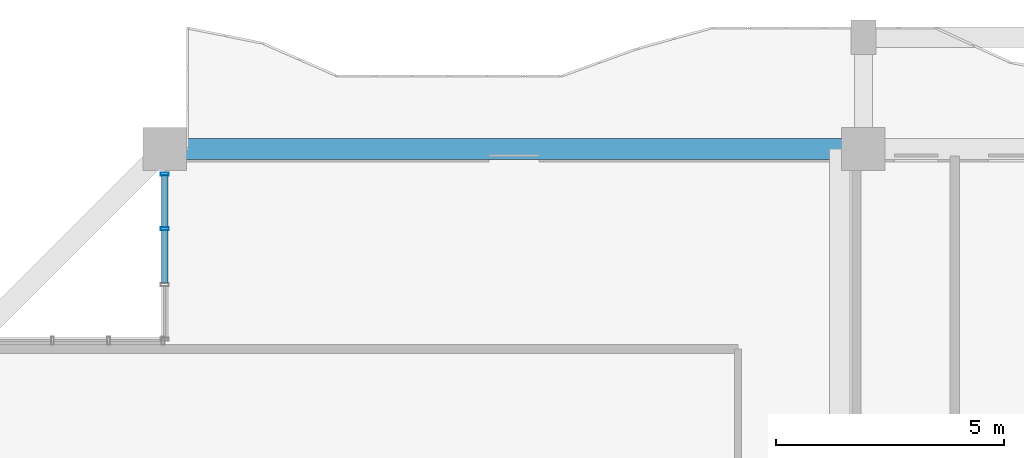
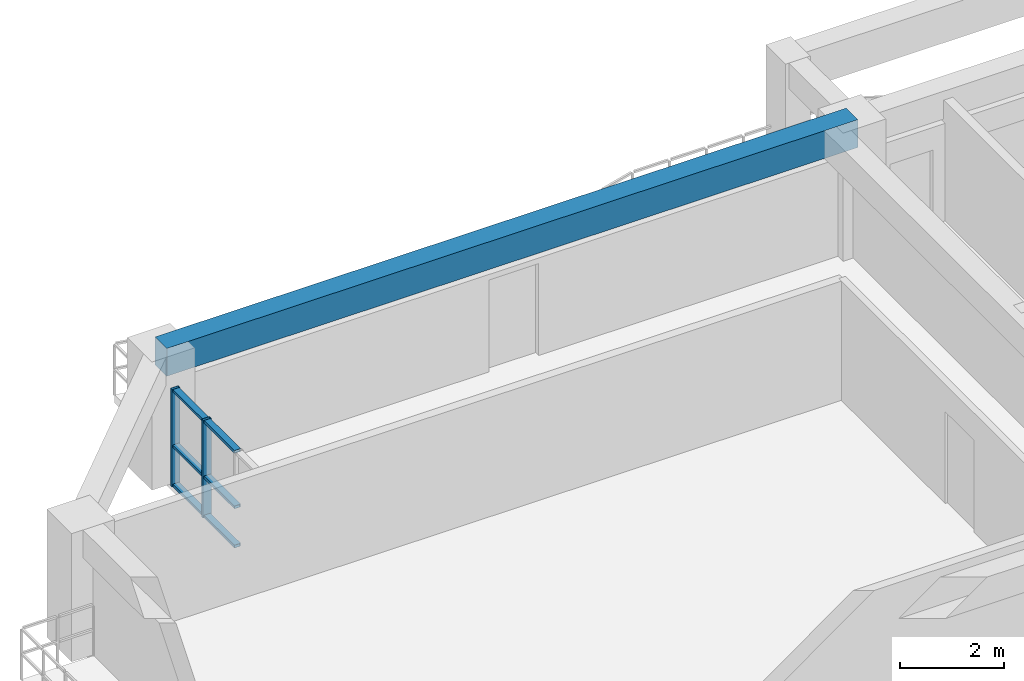
# One storey, part 8 of 24: 8 members, 1 beam, 1 element without a shape of its own.
"""IFC4 building model written with IfcOpenShell, lengths in metres."""

from ifc_helpers import new_model, si_unit, direction, frame, origin, origin_2d, place, context, subcontext, project, spatial, rectangle, hollow_rectangle, extrude, source, transform, mapped, material, layer, layer_set, material_profile, profile_set, type_object, element, aggregate, save


model = new_model("IFC4")

# Units and contexts
model_context = context("Model", 3, precision=1e-05, world=origin(), true_north=direction((0.0, 1.0)))
body_context = subcontext(model_context, "Body", "Model", "MODEL_VIEW")
ifc_project = project(units=[si_unit("LENGTHUNIT", "METRE"), si_unit("AREAUNIT", "SQUARE_METRE"), si_unit("VOLUMEUNIT", "CUBIC_METRE"), si_unit("PLANEANGLEUNIT", "RADIAN"), si_unit("MASSUNIT", "GRAM", prefix="KILO")], contexts=[model_context])

# Site, building, storey
site_placement = place(None, origin())
site = spatial("IfcSite", under=ifc_project, at=site_placement, CompositionType="ELEMENT")
building_placement = place(site_placement, origin())
building = spatial("IfcBuilding", under=site, at=building_placement, Name="Saelheon Loggia Tower", CompositionType="ELEMENT")
storey_placement = place(building_placement, frame((0.0, 0.0, 98.85009765625)))
storey = spatial("IfcBuildingStorey", under=building, at=storey_placement, Name="L31", CompositionType="ELEMENT", Elevation=98.85009765625)

# Beam
ifc_material_1 = material(Name="Concrete C40/50", Category="concrete")
ifc_material_profile_1 = material_profile(ifc_material_1, rectangle(XDim=0.449951171875, YDim=0.64990234375, at=origin_2d()), Name="RC-450x650")
ifc_profile_set_1 = profile_set([ifc_material_profile_1], Name="Concrete C40/50")
beam_type = type_object("IfcBeamType", Name="Beam_PerimTower_RC450x650", PredefinedType="BEAM", material=ifc_profile_set_1)
shared_shape_1 = source(origin(), body_context, "Body", "SweptSolid", [
    extrude(rectangle(XDim=0.449951171875, YDim=0.64990234375, at=origin_2d()), origin(), (0.0, 0.0, 1.0), 15.300048828125),
])
beam_placement = place(storey_placement, frame((31.5, 51.0, 2.6748046875), z_axis=(-1.0, 0.0, 0.0), x_axis=(0.0, -1.0, 0.0)))
element("IfcBeam", 1, at=beam_placement, inside=storey, type_object=beam_type, Name="L31 Perimeter Frame Girder 11", PredefinedType="BEAM", context=body_context, shape_type="MappedRepresentation", body=[
    mapped(shared_shape_1, transform((0.0, 0.0, 0.0), scale=1.0)),
])

# Curtain wall, members
ifc_material_2 = material(Name="Thermal-Break Aluminium and Triple Low-E Glass", Category="aluminium")
ifc_layer = layer(ifc_material_2, 0.159912109375)
ifc_layer_set = layer_set([ifc_layer], Name="Thermal-Break Aluminium and Triple Low-E Glass")
curtain_wall_type = type_object("IfcCurtainWallType", Name="CW_TowerLoggiaLow", PredefinedType="NOTDEFINED", material=ifc_layer_set)
curtain_wall_placement = place(storey_placement, origin())
curtain_wall = element("IfcCurtainWall", 2, at=curtain_wall_placement, inside=storey, type_object=curtain_wall_type, Name="L31 Corner Notch Glazing NW1", PredefinedType="NOTDEFINED")
ifc_material_3 = material(Name="Anodised Aluminium 6063-T6", Category="aluminium")
ifc_material_profile_2 = material_profile(ifc_material_3, hollow_rectangle(XDim=0.06494140625, YDim=0.179931640625, WallThickness=0.00390625, at=origin_2d()), Name="RHS-180x65x4")
ifc_profile_set_2 = profile_set([ifc_material_profile_2], Name="Anodised Aluminium 6063-T6")
member_type_1 = type_object("IfcMemberType", Name="CW_TowerLoggiaLow_Mullion", PredefinedType="MULLION", material=ifc_profile_set_2)
shared_shape_2 = source(origin(), body_context, "Body", "SweptSolid", [
    extrude(hollow_rectangle(XDim=0.06494140625, YDim=0.179931640625, WallThickness=0.00390625, at=origin_2d()), origin(), (0.0, 0.0, 1.0), 2.27978515625),
])
member_1_placement = place(storey_placement, frame((16.199951171875, 49.256591796875, 0.0), z_axis=(0.0, 0.0, 1.0), x_axis=(0.0, 1.0, 0.0)))
member_1 = element("IfcMember", 3, at=member_1_placement, type_object=member_type_1, Name="CW3 mullion 3", PredefinedType="MULLION", context=body_context, shape_type="MappedRepresentation", body=[
    mapped(shared_shape_2, transform((0.0, 0.0, 0.0), scale=1.0)),
])
member_2_placement = place(storey_placement, frame((16.199951171875, 50.452392578125, 0.0), z_axis=(0.0, 0.0, 1.0), x_axis=(0.0, 1.0, 0.0)))
member_2 = element("IfcMember", 4, at=member_2_placement, type_object=member_type_1, Name="CW3 mullion 4", PredefinedType="MULLION", context=body_context, shape_type="MappedRepresentation", body=[
    mapped(shared_shape_2, transform((0.0, 0.0, 0.0), scale=1.0)),
])
ifc_material_profile_3 = material_profile(ifc_material_3, hollow_rectangle(XDim=0.06494140625, YDim=0.139892578125, WallThickness=0.00390625, at=origin_2d()), Name="RHS-140x65x4")
ifc_profile_set_3 = profile_set([ifc_material_profile_3], Name="Anodised Aluminium 6063-T6")
member_type_2 = type_object("IfcMemberType", Name="CW_TowerLoggiaLow_Transom", PredefinedType="USERDEFINED", material=ifc_profile_set_3)
shared_shape_3 = source(origin(), body_context, "Body", "SweptSolid", [
    extrude(hollow_rectangle(XDim=0.06494140625, YDim=0.139892578125, WallThickness=0.00390625, at=origin_2d()), origin(), (0.0, 0.0, 1.0), 1.130859375),
])
member_3_placement = place(storey_placement, frame((16.199951171875, 49.2890625, 0.032470703125), z_axis=(0.0, 1.0, 0.0), x_axis=(0.0, 0.0, 1.0)))
member_3 = element("IfcMember", 5, at=member_3_placement, type_object=member_type_2, Name="CW3 transom 3.1", ObjectType="TRANSOM", PredefinedType="USERDEFINED", context=body_context, shape_type="MappedRepresentation", body=[
    mapped(shared_shape_3, transform((0.0, 0.0, 0.0), scale=1.0)),
])
member_4_placement = place(storey_placement, frame((16.199951171875, 49.2890625, 0.949951171875), z_axis=(0.0, 1.0, 0.0), x_axis=(0.0, 0.0, 1.0)))
member_4 = element("IfcMember", 6, at=member_4_placement, type_object=member_type_2, Name="CW3 transom 3.2", ObjectType="TRANSOM", PredefinedType="USERDEFINED", context=body_context, shape_type="MappedRepresentation", body=[
    mapped(shared_shape_3, transform((0.0, 0.0, 0.0), scale=1.0)),
])
member_5_placement = place(storey_placement, frame((16.199951171875, 49.2890625, 2.247314453125), z_axis=(0.0, 1.0, 0.0), x_axis=(0.0, 0.0, 1.0)))
member_5 = element("IfcMember", 7, at=member_5_placement, type_object=member_type_2, Name="CW3 transom 3.3", ObjectType="TRANSOM", PredefinedType="USERDEFINED", context=body_context, shape_type="MappedRepresentation", body=[
    mapped(shared_shape_3, transform((0.0, 0.0, 0.0), scale=1.0)),
])
shared_shape_4 = source(origin(), body_context, "Body", "SweptSolid", [
    extrude(hollow_rectangle(XDim=0.06494140625, YDim=0.139892578125, WallThickness=0.00390625, at=origin_2d()), origin(), (0.0, 0.0, 1.0), 1.163330078125),
])
member_6_placement = place(storey_placement, frame((16.199951171875, 48.060791015625, 0.032470703125), z_axis=(0.0, 1.0, 0.0), x_axis=(0.0, 0.0, 1.0)))
member_6 = element("IfcMember", 8, at=member_6_placement, type_object=member_type_2, Name="CW3 transom 2.1", ObjectType="TRANSOM", PredefinedType="USERDEFINED", context=body_context, shape_type="MappedRepresentation", body=[
    mapped(shared_shape_4, transform((0.0, 0.0, 0.0), scale=1.0)),
])
member_7_placement = place(storey_placement, frame((16.199951171875, 48.060791015625, 0.949951171875), z_axis=(0.0, 1.0, 0.0), x_axis=(0.0, 0.0, 1.0)))
member_7 = element("IfcMember", 9, at=member_7_placement, type_object=member_type_2, Name="CW3 transom 2.2", ObjectType="TRANSOM", PredefinedType="USERDEFINED", context=body_context, shape_type="MappedRepresentation", body=[
    mapped(shared_shape_4, transform((0.0, 0.0, 0.0), scale=1.0)),
])
member_8_placement = place(storey_placement, frame((16.199951171875, 48.060791015625, 2.247314453125), z_axis=(0.0, 1.0, 0.0), x_axis=(0.0, 0.0, 1.0)))
member_8 = element("IfcMember", 10, at=member_8_placement, type_object=member_type_2, Name="CW3 transom 2.3", ObjectType="TRANSOM", PredefinedType="USERDEFINED", context=body_context, shape_type="MappedRepresentation", body=[
    mapped(shared_shape_4, transform((0.0, 0.0, 0.0), scale=1.0)),
])
aggregate(curtain_wall, [member_1, member_2, member_6, member_7, member_8, member_3, member_4, member_5])

save(model, "model.ifc")
